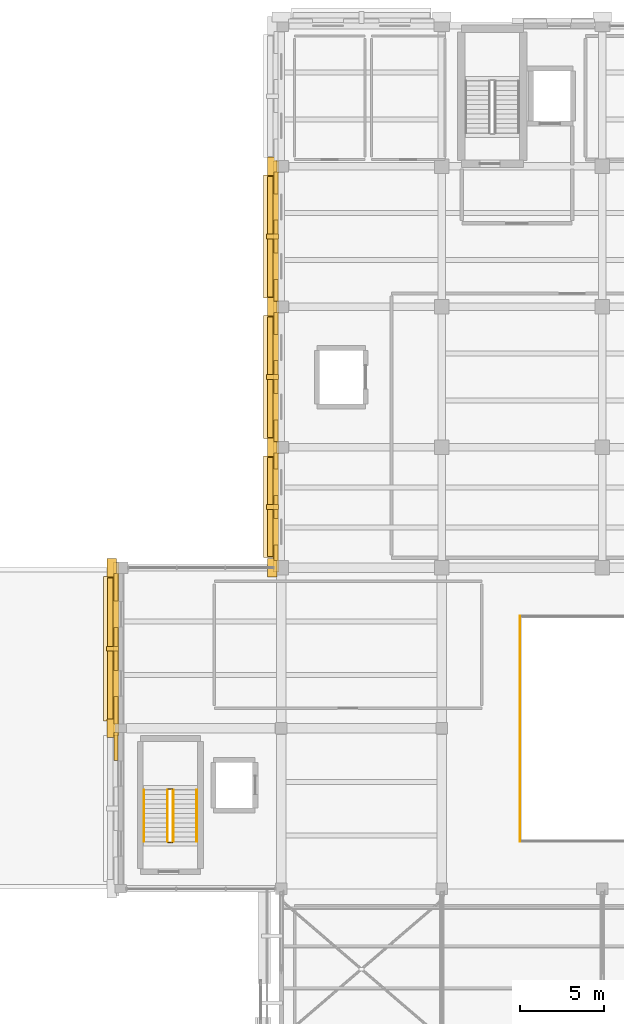
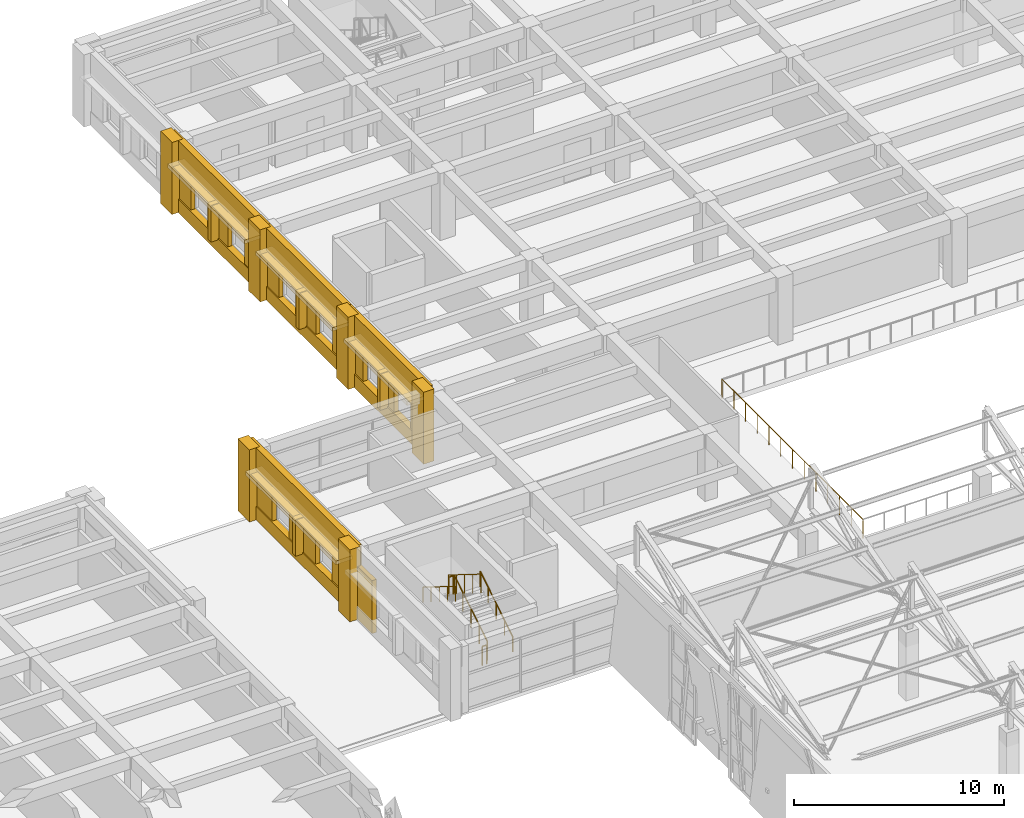
# One storey, part 67 of 71: 35 coverings, 7 railings, 4 shading devices.
"""IFC4 building model written with IfcOpenShell, lengths in metres."""

from ifc_helpers import new_model, si_unit, direction, frame, origin, origin_2d, place, context, subcontext, project, spatial, rectangle, circle, extrude, material, layer, layer_set, type_object, element, save


model = new_model("IFC4")

# Units and contexts
model_context = context("Model", 3, precision=1e-05, world=origin(), true_north=direction((0.0, 1.0)))
body_context = subcontext(model_context, "Body", "Model", "MODEL_VIEW")
ifc_project = project(units=[si_unit("LENGTHUNIT", "METRE"), si_unit("AREAUNIT", "SQUARE_METRE"), si_unit("VOLUMEUNIT", "CUBIC_METRE"), si_unit("PLANEANGLEUNIT", "RADIAN"), si_unit("MASSUNIT", "GRAM", prefix="KILO")], contexts=[model_context])

# Site, building, storey
site_placement = place(None, origin())
site = spatial("IfcSite", under=ifc_project, at=site_placement, CompositionType="ELEMENT")
building_placement = place(site_placement, origin())
building = spatial("IfcBuilding", under=site, at=building_placement, Name="Bempovik Park Faculty of Sciences", CompositionType="ELEMENT")
storey_placement = place(building_placement, frame((0.0, 0.0, 14.10009765625)))
storey = spatial("IfcBuildingStorey", under=building, at=storey_placement, Name="L03", CompositionType="ELEMENT", Elevation=14.10009765625)

# Coverings
ifc_material_1 = material(Name="Precast concrete C40/50", Category="concrete")
ifc_layer_1 = layer(ifc_material_1, 0.179931640625)
ifc_layer_set_1 = layer_set([ifc_layer_1], Name="Precast concrete C40/50")
covering_type_1 = type_object("IfcCoveringType", Name="CL-02 Classical Cornice Band 180mm", PredefinedType="CLADDING", material=ifc_layer_set_1)
covering_1_placement = place(storey_placement, frame((49.830078125, 82.14990234375, 2.81005859375), z_axis=(0.0, 0.0, 1.0), x_axis=(1.0, 0.0, 0.0)))
element("IfcCovering", 1, at=covering_1_placement, inside=storey, type_object=covering_type_1, Name="L03 Classical Stone Solar Window Hood EW-L03-8424", PredefinedType="CLADDING", context=body_context, shape_type="SweptSolid", body=[
    extrude(rectangle(XDim=0.919921875, YDim=8.64599609375, at=origin_2d()), origin(), (0.0, 0.0, 1.0), 0.219970703125),
])
covering_2_placement = place(storey_placement, frame((59.39990234375, 90.637451171875, 2.81005859375), z_axis=(0.0, 0.0, 1.0), x_axis=(1.0, 0.0, 0.0)))
element("IfcCovering", 2, at=covering_2_placement, inside=storey, type_object=covering_type_1, Name="L03 Classical Stone Solar Window Hood EW-L03-8454", PredefinedType="CLADDING", context=body_context, shape_type="SweptSolid", body=[
    extrude(rectangle(XDim=0.919921875, YDim=6.071044921875, at=origin_2d()), origin(), (0.0, 0.0, 1.0), 0.219970703125),
])
for number, where, z_axis, x_axis, name in (
    (3, (59.39990234375, 98.39990234375, 2.81005859375), (0.0, 0.0, 1.0), (1.0, 0.0, 0.0), "L03 Classical Stone Solar Window Hood EW-L03-8467"),
    (4, (59.39990234375, 106.800048828125, 2.81005859375), (0.0, 0.0, 1.0), (1.0, 0.0, 0.0), "L03 Classical Stone Solar Window Hood EW-L03-8479"),
):
    element("IfcCovering", number, at=place(storey_placement, frame(where, z_axis=z_axis, x_axis=x_axis)), inside=storey, type_object=covering_type_1, Name=name, PredefinedType="CLADDING", context=body_context, shape_type="SweptSolid", body=[
        extrude(rectangle(XDim=0.919921875, YDim=7.345947265625, at=origin_2d()), origin(), (0.0, 0.0, 1.0), 0.219970703125),
    ])
ifc_material_2 = material(Name="White reconstituted limestone precast C40/50", Category="masonry")
ifc_layer_2 = layer(ifc_material_2, 0.239990234375)
ifc_layer_set_2 = layer_set([ifc_layer_2], Name="White reconstituted limestone precast C40/50")
covering_type_2 = type_object("IfcCoveringType", Name="CL-03 Classical Fluted Limestone Pilaster 240mm", PredefinedType="CLADDING", material=ifc_layer_set_2)
covering_3_placement = place(storey_placement, frame((49.8701171875, 77.39990234375, 0.0), z_axis=(0.0, 0.0, 1.0), x_axis=(1.0, 0.0, 0.0)))
element("IfcCovering", 5, at=covering_3_placement, inside=storey, type_object=covering_type_2, Name="L03 Classical Fluted Stone Pilaster PIL-BA-L03-499-774", PredefinedType="CLADDING", context=body_context, shape_type="SweptSolid", body=[
    extrude(rectangle(XDim=0.580078125, YDim=1.10009765625, at=origin_2d()), origin(), (0.0, 0.0, 1.0), 4.199951171875),
])
covering_4_placement = place(storey_placement, frame((50.1298828125, 76.315185546875, -0.000244140625), z_axis=(0.0, 0.0, 1.0), x_axis=(1.0, 0.0, 0.0)))
element("IfcCovering", 6, at=covering_4_placement, inside=storey, type_object=covering_type_2, Name="L03 White Limestone Wall Cheek EW-L03-8411-4", PredefinedType="CLADDING", context=body_context, shape_type="SweptSolid", body=[
    extrude(rectangle(XDim=0.239990234375, YDim=1.666015625, at=origin_2d()), origin(), (0.0, 0.0, 1.0), 3.080078125),
])
covering_5_placement = place(storey_placement, frame((50.1201171875, 82.14990234375, 2.919921875), z_axis=(0.0, 0.0, 1.0), x_axis=(1.0, 0.0, 0.0)))
element("IfcCovering", 7, at=covering_5_placement, inside=storey, type_object=covering_type_2, Name="L03 Classical Limestone Spandrel Entablature EW-L03-8424", PredefinedType="CLADDING", context=body_context, shape_type="SweptSolid", body=[
    extrude(rectangle(XDim=0.340087890625, YDim=10.345947265625, at=origin_2d()), origin(), (0.0, 0.0, 1.0), 1.280029296875),
])
covering_6_placement = place(storey_placement, frame((50.1201171875, 82.14990234375, 0.0), z_axis=(0.0, 0.0, 1.0), x_axis=(1.0, 0.0, 0.0)))
element("IfcCovering", 8, at=covering_6_placement, inside=storey, type_object=covering_type_2, Name="L03 Classical Limestone Sill Dado EW-L03-8424", PredefinedType="CLADDING", context=body_context, shape_type="SweptSolid", body=[
    extrude(rectangle(XDim=0.340087890625, YDim=10.345947265625, at=origin_2d()), origin(), (0.0, 0.0, 1.0), 0.780029296875),
])
covering_7_placement = place(storey_placement, frame((49.8701171875, 87.0, 0.0), z_axis=(0.0, 0.0, 1.0), x_axis=(1.0, 0.0, 0.0)))
element("IfcCovering", 9, at=covering_7_placement, inside=storey, type_object=covering_type_2, Name="L03 Classical Fluted Stone Pilaster PIL-BA-L03-499-870", PredefinedType="CLADDING", context=body_context, shape_type="SweptSolid", body=[
    extrude(rectangle(XDim=0.580078125, YDim=1.10009765625, at=origin_2d()), origin(), (0.0, 0.0, 1.0), 4.199951171875),
])
covering_8_placement = place(storey_placement, frame((50.1298828125, 78.471435546875, -0.000244140625), z_axis=(0.0, 0.0, 1.0), x_axis=(1.0, 0.0, 0.0)))
element("IfcCovering", 10, at=covering_8_placement, inside=storey, type_object=covering_type_2, Name="L03 White Limestone Wall Cheek EW-L03-8424-0", PredefinedType="CLADDING", context=body_context, shape_type="SweptSolid", body=[
    extrude(rectangle(XDim=0.239990234375, YDim=1.638916015625, at=origin_2d()), origin(), (0.0, 0.0, 1.0), 3.080078125),
])
covering_9_placement = place(storey_placement, frame((50.1298828125, 82.14990234375, -0.000244140625), z_axis=(0.0, 0.0, 1.0), x_axis=(1.0, 0.0, 0.0)))
element("IfcCovering", 11, at=covering_9_placement, inside=storey, type_object=covering_type_2, Name="L03 White Limestone Wall Cheek EW-L03-8424-2", PredefinedType="CLADDING", context=body_context, shape_type="SweptSolid", body=[
    extrude(rectangle(XDim=0.239990234375, YDim=2.55810546875, at=origin_2d()), origin(), (0.0, 0.0, 1.0), 3.080078125),
])
covering_10_placement = place(storey_placement, frame((50.1298828125, 85.82861328125, -0.000244140625), z_axis=(0.0, 0.0, 1.0), x_axis=(1.0, 0.0, 0.0)))
element("IfcCovering", 12, at=covering_10_placement, inside=storey, type_object=covering_type_2, Name="L03 White Limestone Wall Cheek EW-L03-8424-4", PredefinedType="CLADDING", context=body_context, shape_type="SweptSolid", body=[
    extrude(rectangle(XDim=0.239990234375, YDim=1.638916015625, at=origin_2d()), origin(), (0.0, 0.0, 1.0), 3.080078125),
])
covering_11_placement = place(storey_placement, frame((49.919921875, 82.14990234375, 0.699951171875), z_axis=(0.0, 0.0, 1.0), x_axis=(1.0, 0.0, 0.0)))
element("IfcCovering", 13, at=covering_11_placement, inside=storey, type_object=covering_type_2, Name="L03 Classical Vertical Stone Shading Fin EW-L03-8424", PredefinedType="CLADDING", context=body_context, shape_type="SweptSolid", body=[
    extrude(rectangle(XDim=0.719970703125, YDim=0.280029296875, at=origin_2d()), origin(), (0.0, 0.0, 1.0), 2.14990234375),
])
covering_12_placement = place(storey_placement, frame((59.68994140625, 90.637451171875, 2.919921875), z_axis=(0.0, 0.0, 1.0), x_axis=(1.0, 0.0, 0.0)))
element("IfcCovering", 14, at=covering_12_placement, inside=storey, type_object=covering_type_2, Name="L03 Classical Limestone Spandrel Entablature EW-L03-8454", PredefinedType="CLADDING", context=body_context, shape_type="SweptSolid", body=[
    extrude(rectangle(XDim=0.340087890625, YDim=7.77099609375, at=origin_2d()), origin(), (0.0, 0.0, 1.0), 1.280029296875),
])
covering_13_placement = place(storey_placement, frame((59.68994140625, 90.637451171875, 0.0), z_axis=(0.0, 0.0, 1.0), x_axis=(1.0, 0.0, 0.0)))
element("IfcCovering", 15, at=covering_13_placement, inside=storey, type_object=covering_type_2, Name="L03 Classical Limestone Sill Dado EW-L03-8454", PredefinedType="CLADDING", context=body_context, shape_type="SweptSolid", body=[
    extrude(rectangle(XDim=0.340087890625, YDim=7.77099609375, at=origin_2d()), origin(), (0.0, 0.0, 1.0), 0.780029296875),
])
for number, where, z_axis, x_axis, name in (
    (16, (59.469970703125, 87.0, 0.0), (0.0, 0.0, 1.0), (1.0, 0.0, 0.0), "L03 Classical Fluted Stone Pilaster PIL-BA-L03-595-870"),
    (17, (59.469970703125, 94.199951171875, 0.0), (0.0, 0.0, 1.0), (1.0, 0.0, 0.0), "L03 Classical Fluted Stone Pilaster PIL-BA-L03-595-942"),
):
    element("IfcCovering", number, at=place(storey_placement, frame(where, z_axis=z_axis, x_axis=x_axis)), inside=storey, type_object=covering_type_2, Name=name, PredefinedType="CLADDING", context=body_context, shape_type="SweptSolid", body=[
        extrude(rectangle(XDim=0.580078125, YDim=1.10009765625, at=origin_2d()), origin(), (0.0, 0.0, 1.0), 4.199951171875),
    ])
covering_14_placement = place(storey_placement, frame((59.699951171875, 87.89892578125, -0.000244140625), z_axis=(0.0, 0.0, 1.0), x_axis=(1.0, 0.0, 0.0)))
element("IfcCovering", 18, at=covering_14_placement, inside=storey, type_object=covering_type_2, Name="L03 White Limestone Wall Cheek EW-L03-8454-0", PredefinedType="CLADDING", context=body_context, shape_type="SweptSolid", body=[
    extrude(rectangle(XDim=0.239990234375, YDim=0.943603515625, at=origin_2d()), origin(), (0.0, 0.0, 1.0), 3.080078125),
])
covering_15_placement = place(storey_placement, frame((59.699951171875, 90.637451171875, -0.000244140625), z_axis=(0.0, 0.0, 1.0), x_axis=(1.0, 0.0, 0.0)))
element("IfcCovering", 19, at=covering_15_placement, inside=storey, type_object=covering_type_2, Name="L03 White Limestone Wall Cheek EW-L03-8454-2", PredefinedType="CLADDING", context=body_context, shape_type="SweptSolid", body=[
    extrude(rectangle(XDim=0.239990234375, YDim=1.37353515625, at=origin_2d()), origin(), (0.0, 0.0, 1.0), 3.080078125),
])
covering_16_placement = place(storey_placement, frame((59.699951171875, 93.376220703125, -0.000244140625), z_axis=(0.0, 0.0, 1.0), x_axis=(1.0, 0.0, 0.0)))
element("IfcCovering", 20, at=covering_16_placement, inside=storey, type_object=covering_type_2, Name="L03 White Limestone Wall Cheek EW-L03-8454-4", PredefinedType="CLADDING", context=body_context, shape_type="SweptSolid", body=[
    extrude(rectangle(XDim=0.239990234375, YDim=0.943603515625, at=origin_2d()), origin(), (0.0, 0.0, 1.0), 3.080078125),
])
covering_17_placement = place(storey_placement, frame((59.489990234375, 90.637451171875, 0.699951171875), z_axis=(0.0, 0.0, 1.0), x_axis=(1.0, 0.0, 0.0)))
element("IfcCovering", 21, at=covering_17_placement, inside=storey, type_object=covering_type_2, Name="L03 Classical Vertical Stone Shading Fin EW-L03-8454", PredefinedType="CLADDING", context=body_context, shape_type="SweptSolid", body=[
    extrude(rectangle(XDim=0.719970703125, YDim=0.280029296875, at=origin_2d()), origin(), (0.0, 0.0, 1.0), 2.14990234375),
])
covering_18_placement = place(storey_placement, frame((59.68994140625, 98.39990234375, 2.919921875), z_axis=(0.0, 0.0, 1.0), x_axis=(1.0, 0.0, 0.0)))
element("IfcCovering", 22, at=covering_18_placement, inside=storey, type_object=covering_type_2, Name="L03 Classical Limestone Spandrel Entablature EW-L03-8467", PredefinedType="CLADDING", context=body_context, shape_type="SweptSolid", body=[
    extrude(rectangle(XDim=0.340087890625, YDim=9.0458984375, at=origin_2d()), origin(), (0.0, 0.0, 1.0), 1.280029296875),
])
covering_19_placement = place(storey_placement, frame((59.68994140625, 98.39990234375, 0.0), z_axis=(0.0, 0.0, 1.0), x_axis=(1.0, 0.0, 0.0)))
element("IfcCovering", 23, at=covering_19_placement, inside=storey, type_object=covering_type_2, Name="L03 Classical Limestone Sill Dado EW-L03-8467", PredefinedType="CLADDING", context=body_context, shape_type="SweptSolid", body=[
    extrude(rectangle(XDim=0.340087890625, YDim=9.0458984375, at=origin_2d()), origin(), (0.0, 0.0, 1.0), 0.780029296875),
])
covering_20_placement = place(storey_placement, frame((59.469970703125, 102.60009765625, 0.0), z_axis=(0.0, 0.0, 1.0), x_axis=(1.0, 0.0, 0.0)))
element("IfcCovering", 24, at=covering_20_placement, inside=storey, type_object=covering_type_2, Name="L03 Classical Fluted Stone Pilaster PIL-BA-L03-595-1026", PredefinedType="CLADDING", context=body_context, shape_type="SweptSolid", body=[
    extrude(rectangle(XDim=0.580078125, YDim=1.10009765625, at=origin_2d()), origin(), (0.0, 0.0, 1.0), 4.199951171875),
])
covering_21_placement = place(storey_placement, frame((59.699951171875, 95.196044921875, -0.000244140625), z_axis=(0.0, 0.0, 1.0), x_axis=(1.0, 0.0, 0.0)))
element("IfcCovering", 25, at=covering_21_placement, inside=storey, type_object=covering_type_2, Name="L03 White Limestone Wall Cheek EW-L03-8467-0", PredefinedType="CLADDING", context=body_context, shape_type="SweptSolid", body=[
    extrude(rectangle(XDim=0.239990234375, YDim=1.287841796875, at=origin_2d()), origin(), (0.0, 0.0, 1.0), 3.080078125),
])
covering_22_placement = place(storey_placement, frame((59.699951171875, 98.39990234375, -0.000244140625), z_axis=(0.0, 0.0, 1.0), x_axis=(1.0, 0.0, 0.0)))
element("IfcCovering", 26, at=covering_22_placement, inside=storey, type_object=covering_type_2, Name="L03 White Limestone Wall Cheek EW-L03-8467-2", PredefinedType="CLADDING", context=body_context, shape_type="SweptSolid", body=[
    extrude(rectangle(XDim=0.239990234375, YDim=1.960205078125, at=origin_2d()), origin(), (0.0, 0.0, 1.0), 3.080078125),
])
covering_23_placement = place(storey_placement, frame((59.699951171875, 101.60400390625, -0.000244140625), z_axis=(0.0, 0.0, 1.0), x_axis=(1.0, 0.0, 0.0)))
element("IfcCovering", 27, at=covering_23_placement, inside=storey, type_object=covering_type_2, Name="L03 White Limestone Wall Cheek EW-L03-8467-4", PredefinedType="CLADDING", context=body_context, shape_type="SweptSolid", body=[
    extrude(rectangle(XDim=0.239990234375, YDim=1.287841796875, at=origin_2d()), origin(), (0.0, 0.0, 1.0), 3.080078125),
])
covering_24_placement = place(storey_placement, frame((59.489990234375, 98.39990234375, 0.699951171875), z_axis=(0.0, 0.0, 1.0), x_axis=(1.0, 0.0, 0.0)))
element("IfcCovering", 28, at=covering_24_placement, inside=storey, type_object=covering_type_2, Name="L03 Classical Vertical Stone Shading Fin EW-L03-8467", PredefinedType="CLADDING", context=body_context, shape_type="SweptSolid", body=[
    extrude(rectangle(XDim=0.719970703125, YDim=0.280029296875, at=origin_2d()), origin(), (0.0, 0.0, 1.0), 2.14990234375),
])
covering_25_placement = place(storey_placement, frame((59.68994140625, 106.800048828125, 2.919921875), z_axis=(0.0, 0.0, 1.0), x_axis=(1.0, 0.0, 0.0)))
element("IfcCovering", 29, at=covering_25_placement, inside=storey, type_object=covering_type_2, Name="L03 Classical Limestone Spandrel Entablature EW-L03-8479", PredefinedType="CLADDING", context=body_context, shape_type="SweptSolid", body=[
    extrude(rectangle(XDim=0.340087890625, YDim=9.0458984375, at=origin_2d()), origin(), (0.0, 0.0, 1.0), 1.280029296875),
])
covering_26_placement = place(storey_placement, frame((59.68994140625, 106.800048828125, 0.0), z_axis=(0.0, 0.0, 1.0), x_axis=(1.0, 0.0, 0.0)))
element("IfcCovering", 30, at=covering_26_placement, inside=storey, type_object=covering_type_2, Name="L03 Classical Limestone Sill Dado EW-L03-8479", PredefinedType="CLADDING", context=body_context, shape_type="SweptSolid", body=[
    extrude(rectangle(XDim=0.340087890625, YDim=9.0458984375, at=origin_2d()), origin(), (0.0, 0.0, 1.0), 0.780029296875),
])
covering_27_placement = place(storey_placement, frame((59.469970703125, 111.0, 0.0), z_axis=(0.0, 0.0, 1.0), x_axis=(1.0, 0.0, 0.0)))
element("IfcCovering", 31, at=covering_27_placement, inside=storey, type_object=covering_type_2, Name="L03 Classical Fluted Stone Pilaster PIL-BA-L03-595-1110", PredefinedType="CLADDING", context=body_context, shape_type="SweptSolid", body=[
    extrude(rectangle(XDim=0.580078125, YDim=1.10009765625, at=origin_2d()), origin(), (0.0, 0.0, 1.0), 4.199951171875),
])
covering_28_placement = place(storey_placement, frame((59.699951171875, 103.595947265625, -0.000244140625), z_axis=(0.0, 0.0, 1.0), x_axis=(1.0, 0.0, 0.0)))
element("IfcCovering", 32, at=covering_28_placement, inside=storey, type_object=covering_type_2, Name="L03 White Limestone Wall Cheek EW-L03-8479-0", PredefinedType="CLADDING", context=body_context, shape_type="SweptSolid", body=[
    extrude(rectangle(XDim=0.239990234375, YDim=1.287841796875, at=origin_2d()), origin(), (0.0, 0.0, 1.0), 3.080078125),
])
covering_29_placement = place(storey_placement, frame((59.699951171875, 106.800048828125, -0.000244140625), z_axis=(0.0, 0.0, 1.0), x_axis=(1.0, 0.0, 0.0)))
element("IfcCovering", 33, at=covering_29_placement, inside=storey, type_object=covering_type_2, Name="L03 White Limestone Wall Cheek EW-L03-8479-2", PredefinedType="CLADDING", context=body_context, shape_type="SweptSolid", body=[
    extrude(rectangle(XDim=0.239990234375, YDim=1.960205078125, at=origin_2d()), origin(), (0.0, 0.0, 1.0), 3.080078125),
])
covering_30_placement = place(storey_placement, frame((59.699951171875, 110.00390625, -0.000244140625), z_axis=(0.0, 0.0, 1.0), x_axis=(1.0, 0.0, 0.0)))
element("IfcCovering", 34, at=covering_30_placement, inside=storey, type_object=covering_type_2, Name="L03 White Limestone Wall Cheek EW-L03-8479-4", PredefinedType="CLADDING", context=body_context, shape_type="SweptSolid", body=[
    extrude(rectangle(XDim=0.239990234375, YDim=1.287841796875, at=origin_2d()), origin(), (0.0, 0.0, 1.0), 3.080078125),
])
covering_31_placement = place(storey_placement, frame((59.489990234375, 106.800048828125, 0.699951171875), z_axis=(0.0, 0.0, 1.0), x_axis=(1.0, 0.0, 0.0)))
element("IfcCovering", 35, at=covering_31_placement, inside=storey, type_object=covering_type_2, Name="L03 Classical Vertical Stone Shading Fin EW-L03-8479", PredefinedType="CLADDING", context=body_context, shape_type="SweptSolid", body=[
    extrude(rectangle(XDim=0.719970703125, YDim=0.280029296875, at=origin_2d()), origin(), (0.0, 0.0, 1.0), 2.14990234375),
])

# Railings
ifc_material_3 = material(Name="Anodised architectural bronze")
railing_type_1 = type_object("IfcRailingType", Name="GR-01 Guardrail 1120mm", PredefinedType="GUARDRAIL", material=ifc_material_3)
railing_1_placement = place(storey_placement, frame((53.550048828125, 70.625, 0.1748046875)))
element("IfcRailing", 36, at=railing_1_placement, inside=storey, type_object=railing_type_1, Name="L03 ST-4 Stair Guard 1", PredefinedType="GUARDRAIL", context=body_context, shape_type="SweptSolid", body=[
    extrude(circle(Radius=0.02392578125, at=origin_2d()), frame((0.0, 0.0, 1.09619140625), z_axis=(0.0, 0.84905059285, 0.528311547082), x_axis=(-1.0, 0.0, 0.0)), (0.0, 0.0, 1.0), 3.643798828125),
    extrude(circle(Radius=0.02099609375, at=origin_2d()), origin(), (0.0, 0.0, 1.0), 1.072021484375),
    extrude(circle(Radius=0.02099609375, at=origin_2d()), frame((0.0, 0.7734375, 0.481201171875)), (0.0, 0.0, 1.0), 1.072021484375),
    extrude(circle(Radius=0.02099609375, at=origin_2d()), frame((0.0, 1.546875, 0.96240234375)), (0.0, 0.0, 1.0), 1.072021484375),
    extrude(circle(Radius=0.02099609375, at=origin_2d()), frame((0.0, 2.3203125, 1.44384765625)), (0.0, 0.0, 1.0), 1.072021484375),
    extrude(circle(Radius=0.02099609375, at=origin_2d()), frame((0.0, 3.09375, 1.925048828125)), (0.0, 0.0, 1.0), 1.072021484375),
])
railing_2_placement = place(storey_placement, frame((53.5, 73.768798828125, 2.099853515625)))
element("IfcRailing", 37, at=railing_2_placement, inside=storey, type_object=railing_type_1, Name="L03 ST-4 Stair Guard 2", PredefinedType="GUARDRAIL", context=body_context, shape_type="SweptSolid", body=[
    extrude(circle(Radius=0.02392578125, at=origin_2d()), frame((0.0, 0.0, 1.09619140625), z_axis=(-1.0, 0.0, 0.0), x_axis=(0.0, -1.0, 0.0)), (0.0, 0.0, 1.0), 0.25),
    extrude(circle(Radius=0.02099609375, at=origin_2d()), origin(), (0.0, 0.0, 1.0), 1.072021484375),
    extrude(circle(Radius=0.02099609375, at=origin_2d()), frame((-0.25, 0.0, 0.0)), (0.0, 0.0, 1.0), 1.072021484375),
])
railing_3_placement = place(storey_placement, frame((53.199951171875, 73.71875, 2.27490234375)))
element("IfcRailing", 38, at=railing_3_placement, inside=storey, type_object=railing_type_1, Name="L03 ST-4 Stair Guard 3", PredefinedType="GUARDRAIL", context=body_context, shape_type="SweptSolid", body=[
    extrude(circle(Radius=0.02392578125, at=origin_2d()), frame((0.0, 0.0, 1.09619140625), z_axis=(0.0, -0.84905059285, 0.528311547082), x_axis=(1.0, 0.0, 0.0)), (0.0, 0.0, 1.0), 3.643798828125),
    extrude(circle(Radius=0.02099609375, at=origin_2d()), origin(), (0.0, 0.0, 1.0), 1.072021484375),
    extrude(circle(Radius=0.02099609375, at=origin_2d()), frame((0.0, -0.7734375, 0.481201171875)), (0.0, 0.0, 1.0), 1.072021484375),
    extrude(circle(Radius=0.02099609375, at=origin_2d()), frame((0.0, -1.546875, 0.96240234375)), (0.0, 0.0, 1.0), 1.072021484375),
    extrude(circle(Radius=0.02099609375, at=origin_2d()), frame((0.0, -2.3203125, 1.44384765625)), (0.0, 0.0, 1.0), 1.072021484375),
    extrude(circle(Radius=0.02099609375, at=origin_2d()), frame((0.0, -3.09375, 1.925048828125)), (0.0, 0.0, 1.0), 1.072021484375),
])
railing_4_placement = place(storey_placement, frame((53.5, 70.574951171875, 0.0)))
element("IfcRailing", 39, at=railing_4_placement, inside=storey, type_object=railing_type_1, Name="L03 ST-4 Stair Guard 4", PredefinedType="GUARDRAIL", context=body_context, shape_type="SweptSolid", body=[
    extrude(circle(Radius=0.02392578125, at=origin_2d()), frame((0.0, 0.0, 1.09619140625), z_axis=(-1.0, 0.0, 0.0), x_axis=(0.0, -1.0, 0.0)), (0.0, 0.0, 1.0), 0.25),
    extrude(circle(Radius=0.02099609375, at=origin_2d()), origin(), (0.0, 0.0, 1.0), 1.072021484375),
    extrude(circle(Radius=0.02099609375, at=origin_2d()), frame((-0.25, 0.0, 0.0)), (0.0, 0.0, 1.0), 1.072021484375),
])
railing_5_placement = place(storey_placement, frame((74.27490234375, 70.64990234375, 0.0)))
element("IfcRailing", 40, at=railing_5_placement, inside=storey, type_object=railing_type_1, Name="L03 Atrium Void West Guardrail", PredefinedType="GUARDRAIL", context=body_context, shape_type="SweptSolid", body=[
    extrude(circle(Radius=0.02392578125, at=origin_2d()), frame((0.0, 0.0, 1.09619140625), z_axis=(0.0, 1.0, 0.0), x_axis=(-1.0, 0.0, 0.0)), (0.0, 0.0, 1.0), 13.4501953125),
    extrude(circle(Radius=0.02099609375, at=origin_2d()), origin(), (0.0, 0.0, 1.0), 1.072021484375),
    extrude(circle(Radius=0.02099609375, at=origin_2d()), frame((0.0, 1.120849609375, 0.0)), (0.0, 0.0, 1.0), 1.072021484375),
    extrude(circle(Radius=0.02099609375, at=origin_2d()), frame((0.0, 2.24169921875, 0.0)), (0.0, 0.0, 1.0), 1.072021484375),
    extrude(circle(Radius=0.02099609375, at=origin_2d()), frame((0.0, 3.362548828125, 0.0)), (0.0, 0.0, 1.0), 1.072021484375),
    extrude(circle(Radius=0.02099609375, at=origin_2d()), frame((0.0, 4.4833984375, 0.0)), (0.0, 0.0, 1.0), 1.072021484375),
    extrude(circle(Radius=0.02099609375, at=origin_2d()), frame((0.0, 5.604248046875, 0.0)), (0.0, 0.0, 1.0), 1.072021484375),
    extrude(circle(Radius=0.02099609375, at=origin_2d()), frame((0.0, 6.72509765625, 0.0)), (0.0, 0.0, 1.0), 1.072021484375),
    extrude(circle(Radius=0.02099609375, at=origin_2d()), frame((0.0, 7.845947265625, 0.0)), (0.0, 0.0, 1.0), 1.072021484375),
    extrude(circle(Radius=0.02099609375, at=origin_2d()), frame((0.0, 8.966796875, 0.0)), (0.0, 0.0, 1.0), 1.072021484375),
    extrude(circle(Radius=0.02099609375, at=origin_2d()), frame((0.0, 10.087646484375, 0.0)), (0.0, 0.0, 1.0), 1.072021484375),
    extrude(circle(Radius=0.02099609375, at=origin_2d()), frame((0.0, 11.20849609375, 0.0)), (0.0, 0.0, 1.0), 1.072021484375),
    extrude(circle(Radius=0.02099609375, at=origin_2d()), frame((0.0, 12.329345703125, 0.0)), (0.0, 0.0, 1.0), 1.072021484375),
    extrude(circle(Radius=0.02099609375, at=origin_2d()), frame((0.0, 13.4501953125, 0.0)), (0.0, 0.0, 1.0), 1.072021484375),
])
railing_type_2 = type_object("IfcRailingType", Name="HR-01 Wall Handrail 900mm", PredefinedType="HANDRAIL", material=ifc_material_3)
railing_6_placement = place(storey_placement, frame((54.949951171875, 70.625, 0.1748046875)))
element("IfcRailing", 41, at=railing_6_placement, inside=storey, type_object=railing_type_2, Name="L03 ST-4 Stair Handrail 1", PredefinedType="HANDRAIL", context=body_context, shape_type="SweptSolid", body=[
    extrude(circle(Radius=0.02392578125, at=origin_2d()), frame((0.0, 0.0, 0.8759765625), z_axis=(0.0, 0.84905059285, 0.528311547082), x_axis=(-1.0, 0.0, 0.0)), (0.0, 0.0, 1.0), 3.643798828125),
    extrude(circle(Radius=0.02099609375, at=origin_2d()), origin(), (0.0, 0.0, 1.0), 0.851806640625),
    extrude(circle(Radius=0.02099609375, at=origin_2d()), frame((0.0, 0.7734375, 0.481201171875)), (0.0, 0.0, 1.0), 0.851806640625),
    extrude(circle(Radius=0.02099609375, at=origin_2d()), frame((0.0, 1.546875, 0.96240234375)), (0.0, 0.0, 1.0), 0.851806640625),
    extrude(circle(Radius=0.02099609375, at=origin_2d()), frame((0.0, 2.3203125, 1.44384765625)), (0.0, 0.0, 1.0), 0.851806640625),
    extrude(circle(Radius=0.02099609375, at=origin_2d()), frame((0.0, 3.09375, 1.925048828125)), (0.0, 0.0, 1.0), 0.851806640625),
])
railing_7_placement = place(storey_placement, frame((51.800048828125, 73.71875, 2.27490234375)))
element("IfcRailing", 42, at=railing_7_placement, inside=storey, type_object=railing_type_2, Name="L03 ST-4 Stair Handrail 2", PredefinedType="HANDRAIL", context=body_context, shape_type="SweptSolid", body=[
    extrude(circle(Radius=0.02392578125, at=origin_2d()), frame((0.0, 0.0, 0.8759765625), z_axis=(0.0, -0.84905059285, 0.528311547082), x_axis=(1.0, 0.0, 0.0)), (0.0, 0.0, 1.0), 3.643798828125),
    extrude(circle(Radius=0.02099609375, at=origin_2d()), origin(), (0.0, 0.0, 1.0), 0.851806640625),
    extrude(circle(Radius=0.02099609375, at=origin_2d()), frame((0.0, -0.7734375, 0.481201171875)), (0.0, 0.0, 1.0), 0.851806640625),
    extrude(circle(Radius=0.02099609375, at=origin_2d()), frame((0.0, -1.546875, 0.96240234375)), (0.0, 0.0, 1.0), 0.851806640625),
    extrude(circle(Radius=0.02099609375, at=origin_2d()), frame((0.0, -2.3203125, 1.44384765625)), (0.0, 0.0, 1.0), 0.851806640625),
    extrude(circle(Radius=0.02099609375, at=origin_2d()), frame((0.0, -3.09375, 1.925048828125)), (0.0, 0.0, 1.0), 0.851806640625),
])

# Shading devices
ifc_layer_3 = layer(ifc_material_3, 0.06005859375)
ifc_layer_set_3 = layer_set([ifc_layer_3], Name="Anodised architectural bronze")
shading_device_type = type_object("IfcShadingDeviceType", Name="SH-01 Bronze Brise-Soleil Fin", PredefinedType="USERDEFINED", material=ifc_layer_set_3)
shading_device_1_placement = place(storey_placement, frame((49.949951171875, 82.14990234375, 2.749755859375), z_axis=(0.0, 0.0, 1.0), x_axis=(1.0, 0.0, 0.0)))
element("IfcShadingDevice", 43, at=shading_device_1_placement, inside=storey, type_object=shading_device_type, Name="L03 Equatorial Bronze Brise-Soleil EW-L03-8424", ObjectType="BRISE SOLEIL", PredefinedType="USERDEFINED", context=body_context, shape_type="SweptSolid", body=[
    extrude(rectangle(XDim=0.64990234375, YDim=8.49609375, at=origin_2d()), origin(), (0.0, 0.0, 1.0), 0.06005859375),
])
shading_device_2_placement = place(storey_placement, frame((59.52001953125, 90.637451171875, 2.749755859375), z_axis=(0.0, 0.0, 1.0), x_axis=(1.0, 0.0, 0.0)))
element("IfcShadingDevice", 44, at=shading_device_2_placement, inside=storey, type_object=shading_device_type, Name="L03 Equatorial Bronze Brise-Soleil EW-L03-8454", ObjectType="BRISE SOLEIL", PredefinedType="USERDEFINED", context=body_context, shape_type="SweptSolid", body=[
    extrude(rectangle(XDim=0.64990234375, YDim=5.9208984375, at=origin_2d()), origin(), (0.0, 0.0, 1.0), 0.06005859375),
])
for number, where, z_axis, x_axis, name in (
    (45, (59.52001953125, 98.39990234375, 2.749755859375), (0.0, 0.0, 1.0), (1.0, 0.0, 0.0), "L03 Equatorial Bronze Brise-Soleil EW-L03-8467"),
    (46, (59.52001953125, 106.800048828125, 2.749755859375), (0.0, 0.0, 1.0), (1.0, 0.0, 0.0), "L03 Equatorial Bronze Brise-Soleil EW-L03-8479"),
):
    element("IfcShadingDevice", number, at=place(storey_placement, frame(where, z_axis=z_axis, x_axis=x_axis)), inside=storey, type_object=shading_device_type, Name=name, ObjectType="BRISE SOLEIL", PredefinedType="USERDEFINED", context=body_context, shape_type="SweptSolid", body=[
        extrude(rectangle(XDim=0.64990234375, YDim=7.196044921875, at=origin_2d()), origin(), (0.0, 0.0, 1.0), 0.06005859375),
    ])

save(model, "model.ifc")
